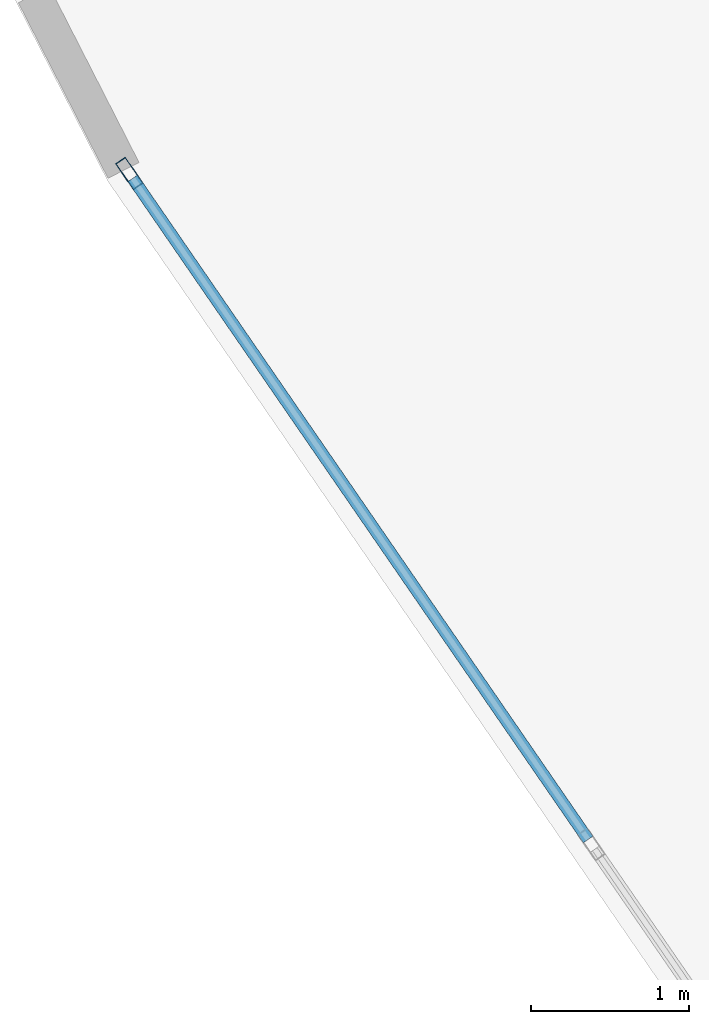
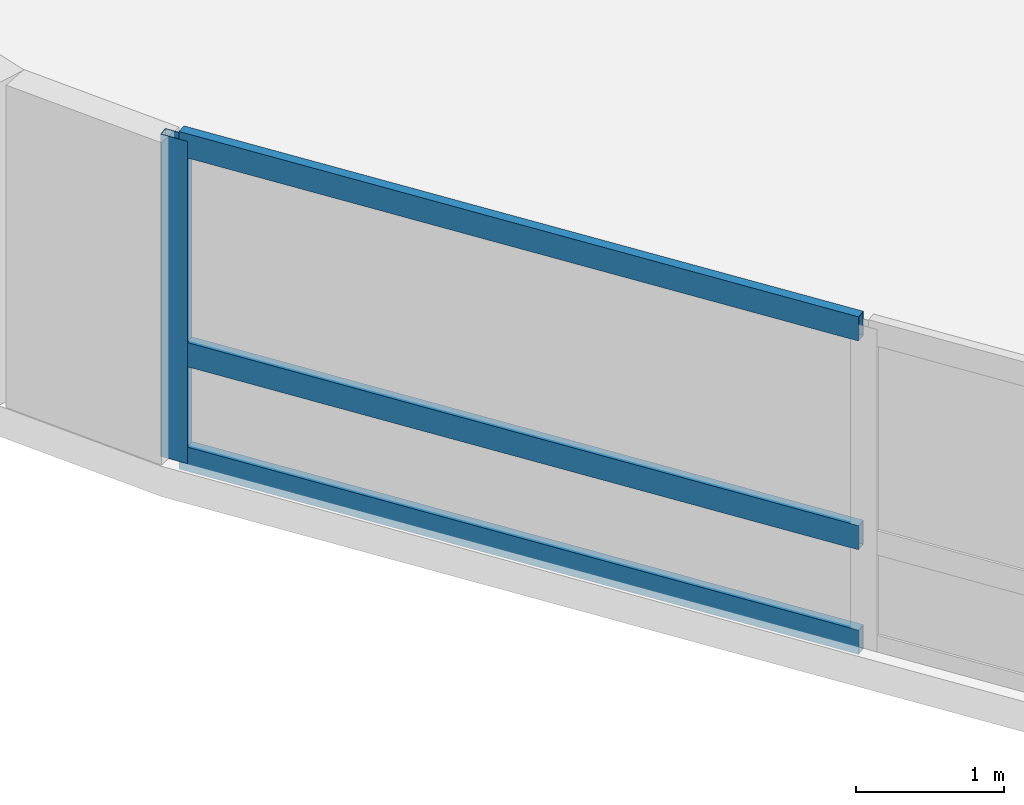
# One storey, part 7 of 23: 4 members, 1 element without a shape of its own.
"""IFC4 building model written with IfcOpenShell, lengths in metres."""

from ifc_helpers import new_model, si_unit, direction, frame, origin, origin_2d, place, context, subcontext, project, spatial, hollow_rectangle, extrude, material, layer, layer_set, material_profile, profile_set, type_object, element, aggregate, save


model = new_model("IFC4")

# Units and contexts
model_context = context("Model", 3, precision=1e-05, world=origin(), true_north=direction((0.0, 1.0)))
body_context = subcontext(model_context, "Body", "Model", "MODEL_VIEW")
ifc_project = project(units=[si_unit("LENGTHUNIT", "METRE"), si_unit("AREAUNIT", "SQUARE_METRE"), si_unit("VOLUMEUNIT", "CUBIC_METRE"), si_unit("PLANEANGLEUNIT", "RADIAN"), si_unit("MASSUNIT", "GRAM", prefix="KILO")], contexts=[model_context])

# Site, building, storey
site_placement = place(None, origin())
site = spatial("IfcSite", under=ifc_project, at=site_placement, CompositionType="ELEMENT")
building_placement = place(site_placement, origin())
building = spatial("IfcBuilding", under=site, at=building_placement, Name="Varnelok Gate Tower", CompositionType="ELEMENT")
storey_placement = place(building_placement, frame((0.0, 0.0, 287.800048828125)))
storey = spatial("IfcBuildingStorey", under=building, at=storey_placement, Name="L74", CompositionType="ELEMENT", Elevation=287.800048828125)

# Curtain wall, members
ifc_material = material(Name="Anodized Aluminum Alloy 6063-T6", Category="aluminium")
ifc_layer = layer(ifc_material, 0.179931640625)
ifc_layer_set = layer_set([ifc_layer], Name="Anodized Aluminum Alloy 6063-T6")
curtain_wall_type = type_object("IfcCurtainWallType", Name="CW6-CROWN-LOOKOUT", PredefinedType="USERDEFINED", material=ifc_layer_set)
curtain_wall_placement = place(storey_placement, origin())
curtain_wall = element("IfcCurtainWall", 1, at=curtain_wall_placement, inside=storey, type_object=curtain_wall_type, Name="L74 West End Vision Curtain Wall", ObjectType="STRUCTURAL GLAZING", PredefinedType="USERDEFINED")
ifc_material_profile_1 = material_profile(ifc_material, hollow_rectangle(XDim=0.074951171875, YDim=0.199951171875, WallThickness=0.00390625, at=origin_2d()), Name="ALU200X75X4")
ifc_profile_set_1 = profile_set([ifc_material_profile_1], Name="Anodized Aluminum Alloy 6063-T6")
member_type_1 = type_object("IfcMemberType", Name="CW-MULL-200", PredefinedType="MULLION", material=ifc_profile_set_1)
member_1_placement = place(storey_placement, frame((3.228271484375, 19.4189453125, 0.0), z_axis=(0.0, 0.0, 1.0), x_axis=(-0.823532290241, -0.567269395376, 0.0)))
member_1 = element("IfcMember", 2, at=member_1_placement, type_object=member_type_1, Name="CW6 mullion 7", PredefinedType="MULLION", context=body_context, shape_type="SweptSolid", body=[
    extrude(hollow_rectangle(XDim=0.074951171875, YDim=0.199951171875, WallThickness=0.00390625, at=origin_2d()), origin(), (0.0, 0.0, 1.0), 2.659912109375),
])
ifc_material_profile_2 = material_profile(ifc_material, hollow_rectangle(XDim=0.074951171875, YDim=0.199951171875, WallThickness=0.00390625, at=origin_2d()), Name="ALU200X75X4")
ifc_profile_set_2 = profile_set([ifc_material_profile_2], Name="Anodized Aluminum Alloy 6063-T6")
member_type_2 = type_object("IfcMemberType", Name="CW-TRAN-200", PredefinedType="USERDEFINED", material=ifc_profile_set_2)
member_2_placement = place(storey_placement, frame((6.135498046875, 15.198486328125, 0.037353515625), z_axis=(-0.567271968481, 0.823530517817, 0.0), x_axis=(-0.823530517817, -0.567271968481, 0.0)))
member_2 = element("IfcMember", 3, at=member_2_placement, type_object=member_type_2, Name="CW6 transom 6.1", ObjectType="TRANSOM", PredefinedType="USERDEFINED", context=body_context, shape_type="SweptSolid", body=[
    extrude(hollow_rectangle(XDim=0.074951171875, YDim=0.199951171875, WallThickness=0.00390625, at=origin_2d()), origin(), (0.0, 0.0, 1.0), 5.08740234375),
])
member_3_placement = place(storey_placement, frame((6.135498046875, 15.198486328125, 0.89990234375), z_axis=(-0.567271968481, 0.823530517817, 0.0), x_axis=(-0.823530517817, -0.567271968481, 0.0)))
member_3 = element("IfcMember", 4, at=member_3_placement, type_object=member_type_2, Name="CW6 transom 6.2", ObjectType="TRANSOM", PredefinedType="USERDEFINED", context=body_context, shape_type="SweptSolid", body=[
    extrude(hollow_rectangle(XDim=0.074951171875, YDim=0.199951171875, WallThickness=0.00390625, at=origin_2d()), origin(), (0.0, 0.0, 1.0), 5.08740234375),
])
member_4_placement = place(storey_placement, frame((6.135498046875, 15.198486328125, 2.62255859375), z_axis=(-0.567271968481, 0.823530517817, 0.0), x_axis=(-0.823530517817, -0.567271968481, 0.0)))
member_4 = element("IfcMember", 5, at=member_4_placement, type_object=member_type_2, Name="CW6 transom 6.3", ObjectType="TRANSOM", PredefinedType="USERDEFINED", context=body_context, shape_type="SweptSolid", body=[
    extrude(hollow_rectangle(XDim=0.074951171875, YDim=0.199951171875, WallThickness=0.00390625, at=origin_2d()), origin(), (0.0, 0.0, 1.0), 5.08740234375),
])
aggregate(curtain_wall, [member_1, member_2, member_3, member_4])

save(model, "model.ifc")
